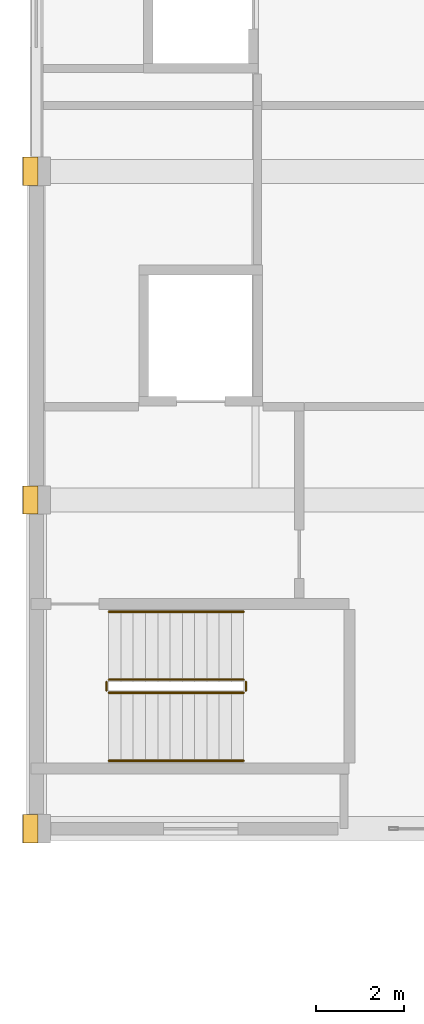
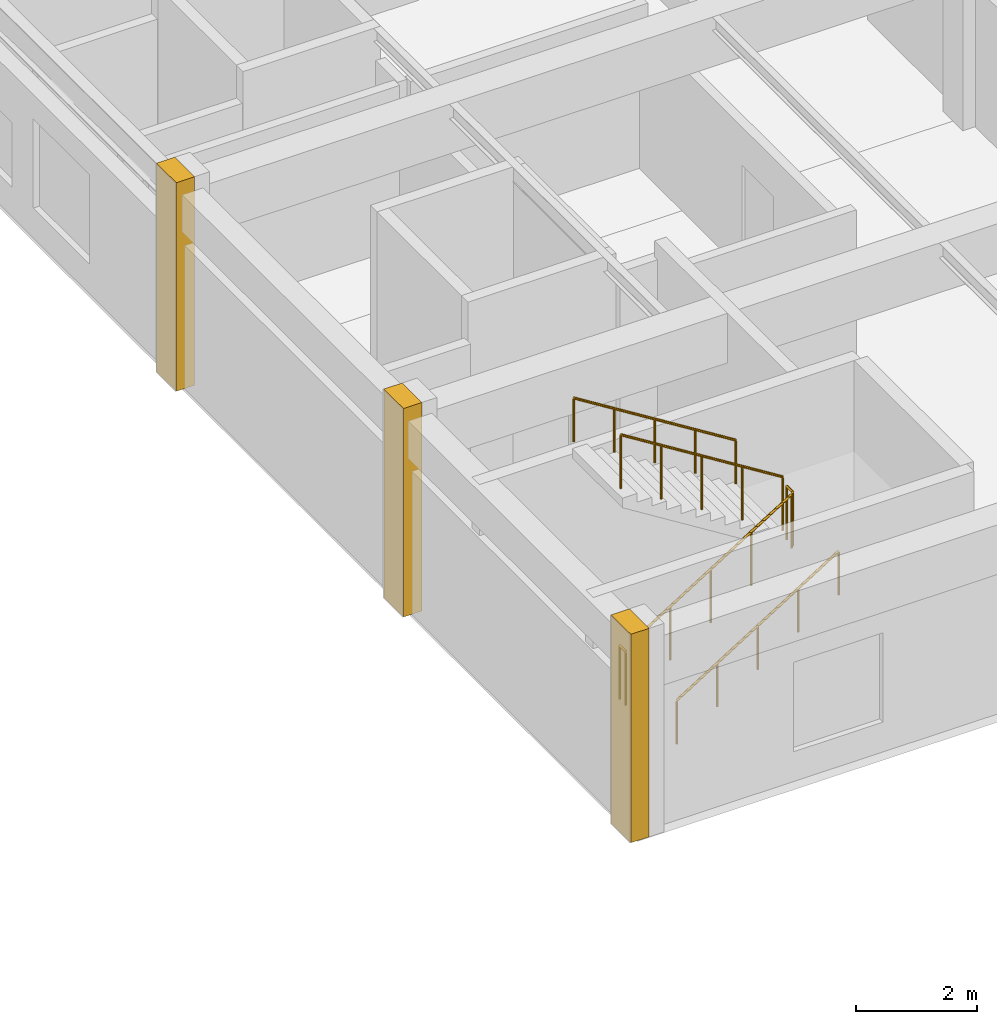
# One storey, part 124 of 132: 6 railings, 3 coverings.
"""IFC4 building model written with IfcOpenShell, lengths in metres."""

from ifc_helpers import new_model, si_unit, direction, frame, origin, origin_2d, place, context, subcontext, project, spatial, rectangle, circle, extrude, material, layer, layer_set, type_object, element, save


model = new_model("IFC4")

# Units and contexts
model_context = context("Model", 3, precision=1e-05, world=origin(), true_north=direction((0.0, 1.0)))
body_context = subcontext(model_context, "Body", "Model", "MODEL_VIEW")
ifc_project = project(units=[si_unit("LENGTHUNIT", "METRE"), si_unit("AREAUNIT", "SQUARE_METRE"), si_unit("VOLUMEUNIT", "CUBIC_METRE"), si_unit("PLANEANGLEUNIT", "RADIAN"), si_unit("MASSUNIT", "GRAM", prefix="KILO")], contexts=[model_context])

# Site, building, storey
site_placement = place(None, origin())
site = spatial("IfcSite", under=ifc_project, at=site_placement, CompositionType="ELEMENT")
building_placement = place(site_placement, origin())
building = spatial("IfcBuilding", under=site, at=building_placement, Name="Qasida Concert Hall", CompositionType="ELEMENT")
storey_placement = place(building_placement, frame((0.0, 0.0, 4.800048828125)))
storey = spatial("IfcBuildingStorey", under=building, at=storey_placement, Name="L01", CompositionType="ELEMENT", Elevation=4.800048828125)

# Coverings
ifc_material_1 = material(Name="Projecting fluted Lebanese limestone Art Deco pilaster", Category="masonry")
ifc_layer_1 = layer(ifc_material_1, 0.35009765625, Name="Projecting fluted Lebanese limestone Art Deco pilaster")
ifc_layer_set_1 = layer_set([ifc_layer_1], Name="Projecting fluted Lebanese limestone Art Deco pilaster")
covering_type = type_object("IfcCoveringType", Name="CV-PIL-650", PredefinedType="CLADDING", material=ifc_layer_set_1)
for number, where, z_axis, x_axis, name in (
    (1, (-0.135009765625, 75.0, 0.0), (0.0, 0.0, 1.0), (1.0, 0.0, 0.0), "L01 fluted limestone pilaster 0266"),
    (2, (-0.135009765625, 82.5, 0.0), (0.0, 0.0, 1.0), (1.0, 0.0, 0.0), "L01 fluted limestone pilaster 0273"),
    (3, (-0.135009765625, 90.0, 0.0), (0.0, 0.0, 1.0), (1.0, 0.0, 0.0), "L01 fluted limestone pilaster 0280"),
):
    element("IfcCovering", number, at=place(storey_placement, frame(where, z_axis=z_axis, x_axis=x_axis)), inside=storey, type_object=covering_type, Name=name, PredefinedType="CLADDING", context=body_context, shape_type="SweptSolid", body=[
        extrude(rectangle(XDim=0.35009765625, YDim=0.64990234375, at=origin_2d()), origin(), (0.0, 0.0, 1.0), 4.199951171875),
    ])

# Railings
ifc_material_2 = material(Name="Patinated architectural bronze and laminated glass infill", Category="glass")
ifc_layer_2 = layer(ifc_material_2, 0.080078125, Name="Patinated architectural bronze and laminated glass infill")
ifc_layer_set_2 = layer_set([ifc_layer_2], Name="Patinated architectural bronze and laminated glass infill")
railing_type_1 = type_object("IfcRailingType", Name="RL-GRD-1100", PredefinedType="GUARDRAIL", material=ifc_layer_set_2)
railing_1_placement = place(storey_placement, frame((1.64990234375, 78.10009765625, 0.175048828125)))
element("IfcRailing", 4, at=railing_1_placement, inside=storey, type_object=railing_type_1, Name="L01 ST-05 stair guard 1", PredefinedType="GUARDRAIL", context=body_context, shape_type="SweptSolid", body=[
    extrude(circle(Radius=0.02392578125, at=origin_2d()), frame((0.0, 0.0, 1.076171875), z_axis=(0.848028513186, 0.0, 0.529950602248), x_axis=(0.0, 1.0, 0.0)), (0.0, 0.0, 1.0), 3.632080078125),
    extrude(circle(Radius=0.02099609375, at=origin_2d()), origin(), (0.0, 0.0, 1.0), 1.052001953125),
    extrude(circle(Radius=0.02099609375, at=origin_2d()), frame((0.77001953125, 0.0, 0.481201171875)), (0.0, 0.0, 1.0), 1.052001953125),
    extrude(circle(Radius=0.02099609375, at=origin_2d()), frame((1.5400390625, 0.0, 0.96240234375)), (0.0, 0.0, 1.0), 1.052001953125),
    extrude(circle(Radius=0.02099609375, at=origin_2d()), frame((2.31005859375, 0.0, 1.443603515625)), (0.0, 0.0, 1.0), 1.052001953125),
    extrude(circle(Radius=0.02099609375, at=origin_2d()), frame((3.080078125, 0.0, 1.9248046875)), (0.0, 0.0, 1.0), 1.052001953125),
])
railing_2_placement = place(storey_placement, frame((4.780029296875, 78.14990234375, 2.099853515625)))
element("IfcRailing", 5, at=railing_2_placement, inside=storey, type_object=railing_type_1, Name="L01 ST-05 stair guard 2", PredefinedType="GUARDRAIL", context=body_context, shape_type="SweptSolid", body=[
    extrude(circle(Radius=0.02392578125, at=origin_2d()), frame((0.0, 0.0, 1.076171875), z_axis=(0.0, 1.0, 0.0), x_axis=(-1.0, 0.0, 0.0)), (0.0, 0.0, 1.0), 0.2001953125),
    extrude(circle(Radius=0.02099609375, at=origin_2d()), origin(), (0.0, 0.0, 1.0), 1.052001953125),
    extrude(circle(Radius=0.02099609375, at=origin_2d()), frame((0.0, 0.2001953125, 0.0)), (0.0, 0.0, 1.0), 1.052001953125),
])
railing_3_placement = place(storey_placement, frame((4.72998046875, 78.39990234375, 2.27490234375)))
element("IfcRailing", 6, at=railing_3_placement, inside=storey, type_object=railing_type_1, Name="L01 ST-05 stair guard 3", PredefinedType="GUARDRAIL", context=body_context, shape_type="SweptSolid", body=[
    extrude(circle(Radius=0.02392578125, at=origin_2d()), frame((0.0, 0.0, 1.076171875), z_axis=(-0.847998304005, 0.0, 0.529998940003), x_axis=(0.0, -1.0, 0.0)), (0.0, 0.0, 1.0), 3.632080078125),
    extrude(circle(Radius=0.02099609375, at=origin_2d()), origin(), (0.0, 0.0, 1.0), 1.052001953125),
    extrude(circle(Radius=0.02099609375, at=origin_2d()), frame((-0.77001953125, 0.0, 0.481201171875)), (0.0, 0.0, 1.0), 1.052001953125),
    extrude(circle(Radius=0.02099609375, at=origin_2d()), frame((-1.5400390625, 0.0, 0.96240234375)), (0.0, 0.0, 1.0), 1.052001953125),
    extrude(circle(Radius=0.02099609375, at=origin_2d()), frame((-2.31005859375, 0.0, 1.44384765625)), (0.0, 0.0, 1.0), 1.052001953125),
    extrude(circle(Radius=0.02099609375, at=origin_2d()), frame((-3.080078125, 0.0, 1.925048828125)), (0.0, 0.0, 1.0), 1.052001953125),
])
railing_4_placement = place(storey_placement, frame((1.60009765625, 78.14990234375, 0.0)))
element("IfcRailing", 7, at=railing_4_placement, inside=storey, type_object=railing_type_1, Name="L01 ST-05 stair guard 4", PredefinedType="GUARDRAIL", context=body_context, shape_type="SweptSolid", body=[
    extrude(circle(Radius=0.02392578125, at=origin_2d()), frame((0.0, 0.0, 1.076171875), z_axis=(0.0, 1.0, 0.0), x_axis=(-1.0, 0.0, 0.0)), (0.0, 0.0, 1.0), 0.2001953125),
    extrude(circle(Radius=0.02099609375, at=origin_2d()), origin(), (0.0, 0.0, 1.0), 1.052001953125),
    extrude(circle(Radius=0.02099609375, at=origin_2d()), frame((0.0, 0.2001953125, 0.0)), (0.0, 0.0, 1.0), 1.052001953125),
])
ifc_material_3 = material(Name="Patinated tubular architectural bronze", Category="steel")
ifc_layer_3 = layer(ifc_material_3, 0.050048828125, Name="Patinated tubular architectural bronze")
ifc_layer_set_3 = layer_set([ifc_layer_3], Name="Patinated tubular architectural bronze")
railing_type_2 = type_object("IfcRailingType", Name="RL-HND-900", PredefinedType="HANDRAIL", material=ifc_layer_set_3)
railing_5_placement = place(storey_placement, frame((1.64990234375, 76.550048828125, 0.175048828125)))
element("IfcRailing", 8, at=railing_5_placement, inside=storey, type_object=railing_type_2, Name="L01 ST-05 stair handrail 1", PredefinedType="HANDRAIL", context=body_context, shape_type="SweptSolid", body=[
    extrude(circle(Radius=0.02392578125, at=origin_2d()), frame((0.0, 0.0, 0.8759765625), z_axis=(0.848028513186, 0.0, 0.529950602248), x_axis=(0.0, 1.0, 0.0)), (0.0, 0.0, 1.0), 3.632080078125),
    extrude(circle(Radius=0.02099609375, at=origin_2d()), origin(), (0.0, 0.0, 1.0), 0.851806640625),
    extrude(circle(Radius=0.02099609375, at=origin_2d()), frame((0.77001953125, 0.0, 0.481201171875)), (0.0, 0.0, 1.0), 0.851806640625),
    extrude(circle(Radius=0.02099609375, at=origin_2d()), frame((1.5400390625, 0.0, 0.96240234375)), (0.0, 0.0, 1.0), 0.851806640625),
    extrude(circle(Radius=0.02099609375, at=origin_2d()), frame((2.31005859375, 0.0, 1.443603515625)), (0.0, 0.0, 1.0), 0.851806640625),
    extrude(circle(Radius=0.02099609375, at=origin_2d()), frame((3.080078125, 0.0, 1.9248046875)), (0.0, 0.0, 1.0), 0.851806640625),
])
railing_6_placement = place(storey_placement, frame((4.72998046875, 79.949951171875, 2.27490234375)))
element("IfcRailing", 9, at=railing_6_placement, inside=storey, type_object=railing_type_2, Name="L01 ST-05 stair handrail 2", PredefinedType="HANDRAIL", context=body_context, shape_type="SweptSolid", body=[
    extrude(circle(Radius=0.02392578125, at=origin_2d()), frame((0.0, 0.0, 0.8759765625), z_axis=(-0.847998304005, 0.0, 0.529998940003), x_axis=(0.0, -1.0, 0.0)), (0.0, 0.0, 1.0), 3.632080078125),
    extrude(circle(Radius=0.02099609375, at=origin_2d()), origin(), (0.0, 0.0, 1.0), 0.851806640625),
    extrude(circle(Radius=0.02099609375, at=origin_2d()), frame((-0.77001953125, 0.0, 0.481201171875)), (0.0, 0.0, 1.0), 0.851806640625),
    extrude(circle(Radius=0.02099609375, at=origin_2d()), frame((-1.5400390625, 0.0, 0.96240234375)), (0.0, 0.0, 1.0), 0.851806640625),
    extrude(circle(Radius=0.02099609375, at=origin_2d()), frame((-2.31005859375, 0.0, 1.44384765625)), (0.0, 0.0, 1.0), 0.851806640625),
    extrude(circle(Radius=0.02099609375, at=origin_2d()), frame((-3.080078125, 0.0, 1.925048828125)), (0.0, 0.0, 1.0), 0.851806640625),
])

save(model, "model.ifc")
